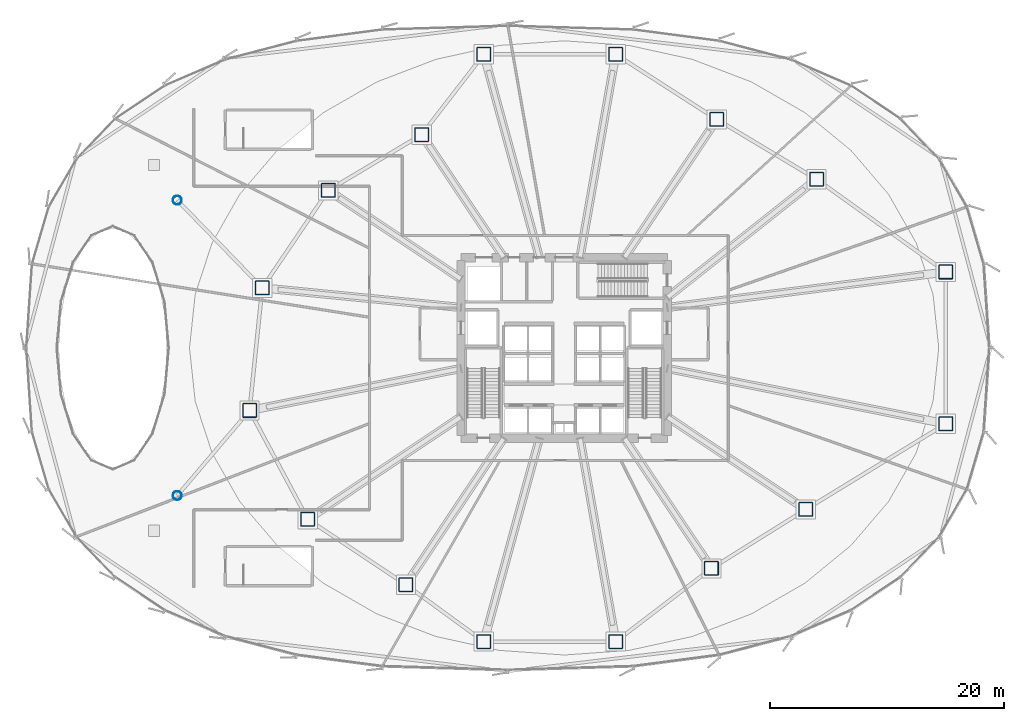
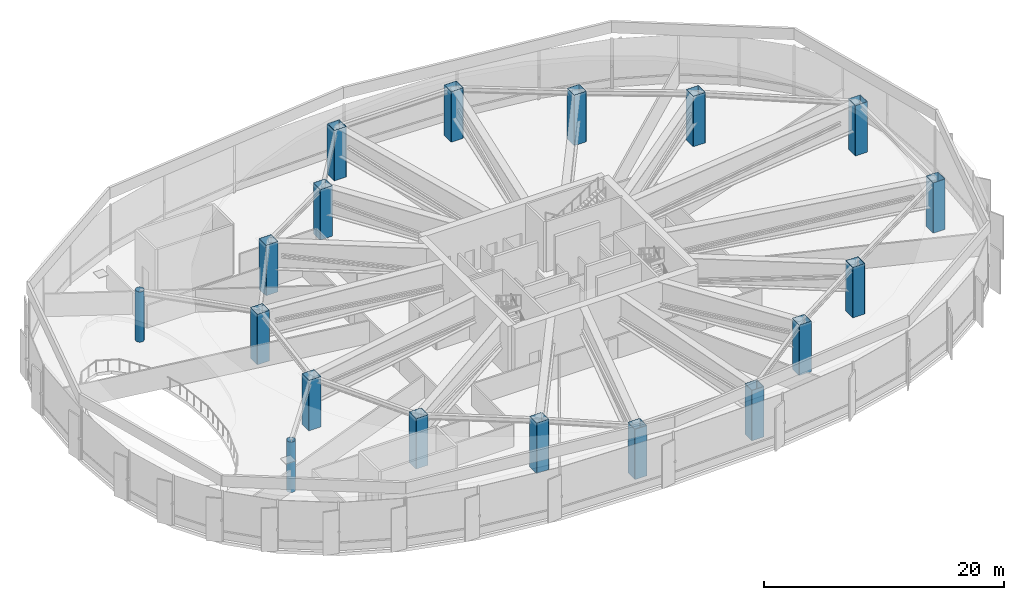
# One storey, part 1 of 36: 18 columns.
"""IFC4 building model written with IfcOpenShell, lengths in metres."""

from ifc_helpers import new_model, si_unit, direction, frame, origin, origin_2d, place, context, subcontext, project, spatial, hollow_rectangle, hollow_circle, extrude, source, transform, mapped, material, material_profile, profile_set, type_object, element, save


model = new_model("IFC4")

# Units and contexts
model_context = context("Model", 3, precision=1e-05, world=origin(), true_north=direction((0.0, 1.0)))
body_context = subcontext(model_context, "Body", "Model", "MODEL_VIEW")
ifc_project = project(units=[si_unit("LENGTHUNIT", "METRE"), si_unit("AREAUNIT", "SQUARE_METRE"), si_unit("VOLUMEUNIT", "CUBIC_METRE"), si_unit("PLANEANGLEUNIT", "RADIAN"), si_unit("MASSUNIT", "GRAM", prefix="KILO"), si_unit("THERMODYNAMICTEMPERATUREUNIT", "KELVIN")], contexts=[model_context])

# Site, building, storey
site_placement = place(None, origin())
site = spatial("IfcSite", under=ifc_project, at=site_placement, CompositionType="ELEMENT")
building_placement = place(site_placement, origin())
building = spatial("IfcBuilding", under=site, at=building_placement, Name="Kethvar Cultural Tower", CompositionType="ELEMENT")
storey_placement = place(building_placement, frame((0.0, 0.0, 24.0)))
storey = spatial("IfcBuildingStorey", under=building, at=storey_placement, Name="L05", CompositionType="ELEMENT", Elevation=24.0)

# Columns
ifc_material_1 = material(Name="Steel S460M", Category="steel")
ifc_material_profile_1 = material_profile(ifc_material_1, hollow_rectangle(XDim=1.199951171875, YDim=1.199951171875, WallThickness=0.044921875, InnerFilletRadius=0.02001953125, OuterFilletRadius=0.06494140625, at=origin_2d()), Name="Steel S460M — BOX1200x1200x45")
ifc_profile_set_1 = profile_set([ifc_material_profile_1], Name="Steel S460M — BOX1200x1200x45")
column_type_1 = type_object("IfcColumnType", Name="COL-BOX1200", PredefinedType="COLUMN", material=ifc_profile_set_1)
shared_shape_1 = source(origin(), body_context, "Body", "SweptSolid", [
    extrude(hollow_rectangle(XDim=1.199951171875, YDim=1.199951171875, WallThickness=0.044921875, InnerFilletRadius=0.02001953125, OuterFilletRadius=0.06494140625, at=origin_2d()), origin(), (0.0, 0.0, 1.0), 5.1201171875),
])
for number, where, z_axis, x_axis, name in (
    (1, (79.362060546875, 34.277099609375, 0.0), (0.0, 0.0, 1.0), (1.0, 0.0, 0.0), "L05 Podium Column C-01"),
    (2, (68.33642578125, 42.190185546875, 0.0), (0.0, 0.0, 1.0), (1.0, 0.0, 0.0), "L05 Podium Column C-02"),
    (3, (59.824951171875, 47.293212890625, 0.0), (0.0, 0.0, 1.0), (1.0, 0.0, 0.0), "L05 Podium Column C-03"),
    (4, (51.199951171875, 52.85009765625, 0.0), (0.0, 0.0, 1.0), (1.0, 0.0, 0.0), "L05 Podium Column C-04"),
    (5, (39.949951171875, 52.85009765625, 0.0), (0.0, 0.0, 1.0), (1.0, 0.0, 0.0), "L05 Podium Column C-05"),
    (6, (34.64599609375, 45.98974609375, 0.0), (0.0, 0.0, 1.0), (1.0, 0.0, 0.0), "L05 Podium Column C-06"),
    (7, (26.6845703125, 41.24072265625, 0.0), (0.0, 0.0, 1.0), (1.0, 0.0, 0.0), "L05 Podium Column C-07"),
    (8, (21.047119140625, 32.922607421875, 0.0), (0.0, 0.0, 1.0), (1.0, 0.0, 0.0), "L05 Podium Column C-08"),
    (9, (19.9658203125, 22.46240234375, 0.0), (0.0, 0.0, 1.0), (1.0, 0.0, 0.0), "L05 Podium Column C-09"),
    (10, (24.9248046875, 13.183349609375, 0.0), (0.0, 0.0, 1.0), (1.0, 0.0, 0.0), "L05 Podium Column C-10"),
    (11, (33.302001953125, 7.598876953125, 0.0), (0.0, 0.0, 1.0), (1.0, 0.0, 0.0), "L05 Podium Column C-11"),
    (12, (39.949951171875, 2.75, 0.0), (0.0, 0.0, 1.0), (1.0, 0.0, 0.0), "L05 Podium Column C-12"),
    (13, (51.199951171875, 2.75, 0.0), (0.0, 0.0, 1.0), (1.0, 0.0, 0.0), "L05 Podium Column C-13"),
    (14, (59.370361328125, 8.987060546875, 0.0), (0.0, 0.0, 1.0), (1.0, 0.0, 0.0), "L05 Podium Column C-14"),
    (15, (67.41845703125, 14.023193359375, 0.0), (0.0, 0.0, 1.0), (1.0, 0.0, 0.0), "L05 Podium Column C-15"),
    (16, (79.362060546875, 21.322998046875, 0.0), (0.0, 0.0, 1.0), (1.0, 0.0, 0.0), "L05 Podium Column C-16"),
):
    element("IfcColumn", number, at=place(storey_placement, frame(where, z_axis=z_axis, x_axis=x_axis)), inside=storey, type_object=column_type_1, Name=name, PredefinedType="COLUMN", context=body_context, shape_type="MappedRepresentation", body=[
        mapped(shared_shape_1, transform((0.0, 0.0, 0.0), scale=1.0)),
    ])
ifc_material_2 = material(Name="Steel S355J2", Category="steel")
ifc_material_profile_2 = material_profile(ifc_material_2, hollow_circle(Radius=0.381103515625, WallThickness=0.02490234375, at=origin_2d()), Name="Steel S355J2 — CHS762x25")
ifc_profile_set_2 = profile_set([ifc_material_profile_2], Name="Steel S355J2 — CHS762x25")
column_type_2 = type_object("IfcColumnType", Name="COL-CHS762", PredefinedType="COLUMN", material=ifc_profile_set_2)
shared_shape_2 = source(origin(), body_context, "Body", "SweptSolid", [
    extrude(hollow_circle(Radius=0.381103515625, WallThickness=0.02490234375, at=origin_2d()), origin(), (0.0, 0.0, 1.0), 5.1201171875),
])
for number, where, z_axis, x_axis, name in (
    (17, (13.800048828125, 15.199951171875, 0.0), (0.0, 0.0, 1.0), (1.0, 0.0, 0.0), "L05 Podium Column C-17"),
    (18, (13.800048828125, 40.39990234375, 0.0), (0.0, 0.0, 1.0), (1.0, 0.0, 0.0), "L05 Podium Column C-18"),
):
    element("IfcColumn", number, at=place(storey_placement, frame(where, z_axis=z_axis, x_axis=x_axis)), inside=storey, type_object=column_type_2, Name=name, PredefinedType="COLUMN", context=body_context, shape_type="MappedRepresentation", body=[
        mapped(shared_shape_2, transform((0.0, 0.0, 0.0), scale=1.0)),
    ])

save(model, "model.ifc")
